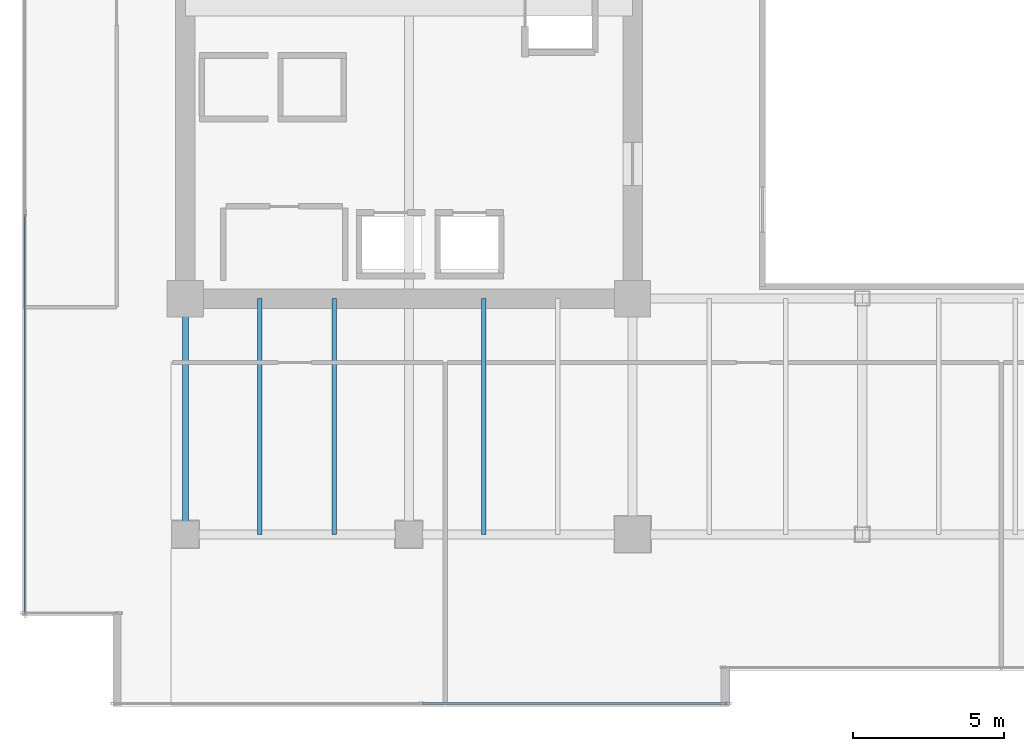
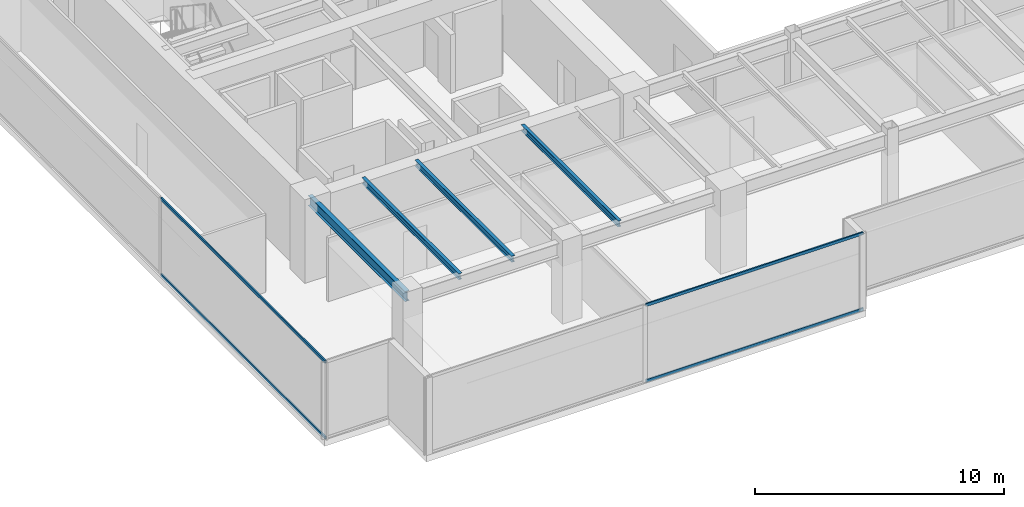
# One storey, part 3 of 33: 4 beams, 4 members, 2 elements without a shape of their own.
"""IFC4 building model written with IfcOpenShell, lengths in metres."""

from ifc_helpers import new_model, si_unit, direction, frame, origin, origin_2d, place, context, subcontext, project, spatial, hollow_rectangle, i_section, extrude, source, transform, mapped, material, layer, layer_set, material_profile, profile_set, type_object, type_shapes, element, aggregate, save


model = new_model("IFC4")

# Units and contexts
model_context = context("Model", 3, precision=1e-05, world=origin(), true_north=direction((0.0, 1.0)))
body_context = subcontext(model_context, "Body", "Model", "MODEL_VIEW")
ifc_project = project(units=[si_unit("LENGTHUNIT", "METRE"), si_unit("AREAUNIT", "SQUARE_METRE"), si_unit("VOLUMEUNIT", "CUBIC_METRE"), si_unit("PLANEANGLEUNIT", "RADIAN"), si_unit("MASSUNIT", "GRAM", prefix="KILO")], contexts=[model_context])

# Site, building, storey
site_placement = place(None, origin())
site = spatial("IfcSite", under=ifc_project, at=site_placement, CompositionType="ELEMENT")
building_placement = place(site_placement, origin())
building = spatial("IfcBuilding", under=site, at=building_placement, Name="Haelvirn Gate Laboratories", CompositionType="ELEMENT")
storey_placement = place(building_placement, frame((0.0, 0.0, 117.39990234375)))
storey = spatial("IfcBuildingStorey", under=building, at=storey_placement, Name="L28", CompositionType="ELEMENT", Elevation=117.39990234375)

# Beams
ifc_material_1 = material(Name="Steel SM355", Category="steel")
ifc_material_profile_1 = material_profile(ifc_material_1, i_section(OverallWidth=0.199951171875, OverallDepth=0.5, WebThickness=0.010009765625, FlangeThickness=0.01611328125, at=origin_2d()), Name="H-500x200x10x16")
ifc_profile_set_1 = profile_set([ifc_material_profile_1], Name="Steel SM355")
beam_type_1 = type_object("IfcBeamType", Name="BM-SP-500", PredefinedType="SPANDREL", material=ifc_profile_set_1)
shared_shape_1 = source(origin(), body_context, "Body", "SweptSolid", [
    extrude(i_section(OverallWidth=0.199951171875, OverallDepth=0.5, WebThickness=0.010009765625, FlangeThickness=0.01611328125, at=origin_2d()), origin(), (0.0, 0.0, 1.0), 7.800048828125),
])
type_shapes(beam_type_1, [shared_shape_1])
beam_placement = place(storey_placement, frame((7.39990234375, 7.0, 3.5400390625), z_axis=(0.0, 1.0, 0.0), x_axis=(-1.0, 0.0, 0.0)))
element("IfcBeam", 1, at=beam_placement, inside=storey, type_object=beam_type_1, Name="L28 Perimeter Spandrel X7.4 (7.0-14.8)", PredefinedType="SPANDREL", context=body_context, shape_type="MappedRepresentation", body=[
    mapped(shared_shape_1, transform((0.0, 0.0, 0.0), scale=1.0)),
])
ifc_material_profile_2 = material_profile(ifc_material_1, i_section(OverallWidth=0.14990234375, OverallDepth=0.300048828125, WebThickness=0.006591796875, FlangeThickness=0.009033203125, at=origin_2d()), Name="H-300x150x6.5x9")
ifc_profile_set_2 = profile_set([ifc_material_profile_2], Name="Steel SM355")
beam_type_2 = type_object("IfcBeamType", Name="BM-J-300", PredefinedType="JOIST", material=ifc_profile_set_2)
shared_shape_2 = source(origin(), body_context, "Body", "SweptSolid", [
    extrude(i_section(OverallWidth=0.14990234375, OverallDepth=0.300048828125, WebThickness=0.006591796875, FlangeThickness=0.009033203125, at=origin_2d()), origin(), (0.0, 0.0, 1.0), 7.800048828125),
])
type_shapes(beam_type_2, [shared_shape_2])
for number, where, z_axis, x_axis, name in (
    (2, (9.8701171875, 7.0, 3.64013671875), (0.0, 1.0, 0.0), (-1.0, 0.0, 0.0), "L28 Composite Lab Joist South X9.87"),
    (3, (12.330078125, 7.0, 3.64013671875), (0.0, 1.0, 0.0), (-1.0, 0.0, 0.0), "L28 Composite Lab Joist South X12.33"),
    (4, (17.27001953125, 7.0, 3.64013671875), (0.0, 1.0, 0.0), (-1.0, 0.0, 0.0), "L28 Composite Lab Joist South X17.27"),
):
    element("IfcBeam", number, at=place(storey_placement, frame(where, z_axis=z_axis, x_axis=x_axis)), inside=storey, type_object=beam_type_2, Name=name, PredefinedType="JOIST", context=body_context, shape_type="MappedRepresentation", body=[
        mapped(shared_shape_2, transform((0.0, 0.0, 0.0), scale=1.0)),
    ])

# Curtain wall, members
ifc_material_2 = material(Name="Anodised bronze unitised aluminium & triple low-E glass", Category="aluminium")
ifc_layer = layer(ifc_material_2, 0.179931640625, Name="CW-SYS-3")
ifc_layer_set = layer_set([ifc_layer], Name="Anodised bronze unitised aluminium & triple low-E glass")
curtain_wall_type = type_object("IfcCurtainWallType", Name="CW-SYS-3", PredefinedType="NOTDEFINED", material=ifc_layer_set)
curtain_wall_1_placement = place(storey_placement, origin())
curtain_wall_1 = element("IfcCurtainWall", 5, at=curtain_wall_1_placement, inside=storey, type_object=curtain_wall_type, Name="L28 Unitised Curtain Wall CW-L28-P0-E00-1", PredefinedType="NOTDEFINED")
ifc_material_3 = material(Name="Extruded aluminium 6063-T6 (anodised bronze)", Category="aluminium")
ifc_material_profile_3 = material_profile(ifc_material_3, hollow_rectangle(XDim=0.06494140625, YDim=0.139892578125, WallThickness=0.00390625, at=origin_2d()), Name="CWT-140x65x4")
ifc_profile_set_3 = profile_set([ifc_material_profile_3], Name="Extruded aluminium 6063-T6 (anodised bronze)")
member_type = type_object("IfcMemberType", Name="CWT-T140", PredefinedType="USERDEFINED", material=ifc_profile_set_3)
shared_shape_3 = source(origin(), body_context, "Body", "SweptSolid", [
    extrude(hollow_rectangle(XDim=0.06494140625, YDim=0.139892578125, WallThickness=0.00390625, at=origin_2d()), origin(), (0.0, 0.0, 1.0), 10.08740234375),
])
member_1_placement = place(storey_placement, frame((15.237548828125, 1.39990234375, 0.03271484375), z_axis=(1.0, 0.0, 0.0), x_axis=(0.0, 1.0, 0.0)))
member_1 = element("IfcMember", 6, at=member_1_placement, type_object=member_type, Name="CW3 transom 2.1", ObjectType="TRANSOM", PredefinedType="USERDEFINED", context=body_context, shape_type="MappedRepresentation", body=[
    mapped(shared_shape_3, transform((0.0, 0.0, 0.0), scale=1.0)),
])
member_2_placement = place(storey_placement, frame((15.237548828125, 1.39990234375, 3.757568359375), z_axis=(1.0, 0.0, 0.0), x_axis=(0.0, 1.0, 0.0)))
member_2 = element("IfcMember", 7, at=member_2_placement, type_object=member_type, Name="CW3 transom 2.2", ObjectType="TRANSOM", PredefinedType="USERDEFINED", context=body_context, shape_type="MappedRepresentation", body=[
    mapped(shared_shape_3, transform((0.0, 0.0, 0.0), scale=1.0)),
])
aggregate(curtain_wall_1, [member_1, member_2])

curtain_wall_2_placement = place(storey_placement, origin())
curtain_wall_2 = element("IfcCurtainWall", 8, at=curtain_wall_2_placement, inside=storey, type_object=curtain_wall_type, Name="L28 Unitised Curtain Wall CW-L28-P0-E17", PredefinedType="NOTDEFINED")
shared_shape_4 = source(origin(), body_context, "Body", "SweptSolid", [
    extrude(hollow_rectangle(XDim=0.06494140625, YDim=0.139892578125, WallThickness=0.00390625, at=origin_2d()), origin(), (0.0, 0.0, 1.0), 13.220947265625),
])
type_shapes(member_type, [shared_shape_3, shared_shape_4])
member_3_placement = place(storey_placement, frame((2.10009765625, 17.595947265625, 0.03271484375), z_axis=(0.0, -1.0, 0.0), x_axis=(1.0, 0.0, 0.0)))
member_3 = element("IfcMember", 9, at=member_3_placement, type_object=member_type, Name="CW3 transom 3.1", ObjectType="TRANSOM", PredefinedType="USERDEFINED", context=body_context, shape_type="MappedRepresentation", body=[
    mapped(shared_shape_4, transform((0.0, 0.0, 0.0), scale=1.0)),
])
member_4_placement = place(storey_placement, frame((2.10009765625, 17.595947265625, 3.757568359375), z_axis=(0.0, -1.0, 0.0), x_axis=(1.0, 0.0, 0.0)))
member_4 = element("IfcMember", 10, at=member_4_placement, type_object=member_type, Name="CW3 transom 3.2", ObjectType="TRANSOM", PredefinedType="USERDEFINED", context=body_context, shape_type="MappedRepresentation", body=[
    mapped(shared_shape_4, transform((0.0, 0.0, 0.0), scale=1.0)),
])
aggregate(curtain_wall_2, [member_3, member_4])

save(model, "model.ifc")
